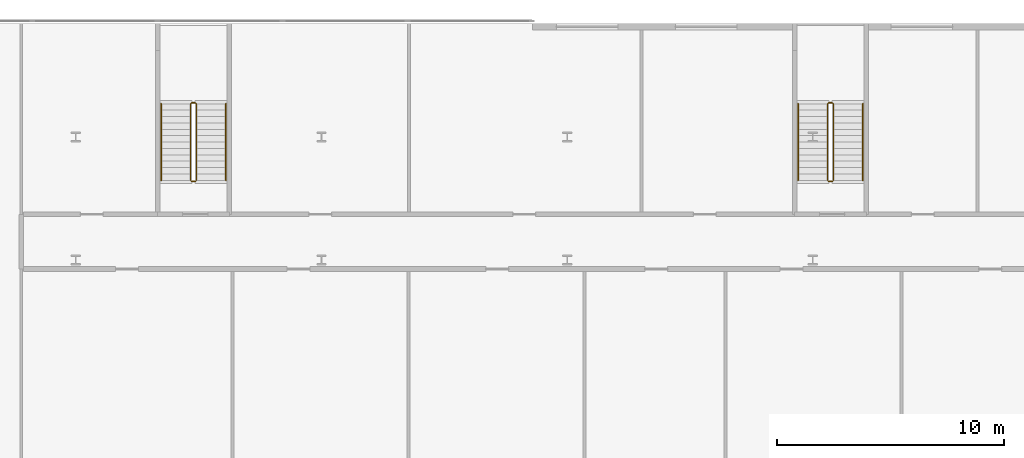
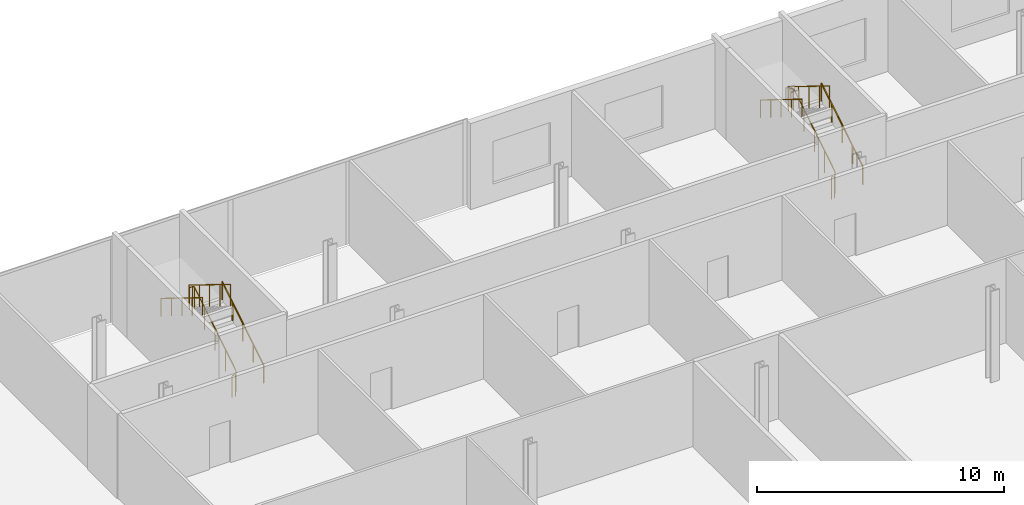
# One storey, part 46 of 47: 8 railings.
"""IFC4 building model written with IfcOpenShell, lengths in metres."""

import ifcopenshell
import ifcopenshell.guid

model = None  # the IFC model being written
_history = None  # IfcOwnerHistory: only IFC2X3 demands one
_inside = {}  # id of a spatial element -> (the spatial element, [elements in it])
_under = {}  # id of a project, library or spatial element -> (it, [spatial elements below it])
_declared = {}  # id of a project -> (the project, [libraries it declares])
_typed = {}  # id of a type object -> (the type object, [elements of that type])
_made_of = {}  # id of a material, layer set ... -> (it, [elements and type objects made of it])


def new_model(schema):
    """Start an empty IFC model of exactly this schema.

    Asked for "IFC4X3", IfcOpenShell would pick the latest addendum, in which some entities
    have other attributes; the version numbers below select the first issue.
    IFC2X3 requires an IfcOwnerHistory on every rooted entity: one is made here for all.
    """
    global model, _history
    if schema == "IFC4X3":
        model = ifcopenshell.file(schema_version=(4, 3, 0, 0))
    else:
        model = ifcopenshell.file(schema=schema)
    _inside.clear()
    _under.clear()
    _declared.clear()
    _typed.clear()
    _made_of.clear()
    _history = None
    if model.schema == "IFC2X3":
        org = make("IfcOrganization", Name="unknown")
        user = make(
            "IfcPersonAndOrganization",
            ThePerson=make("IfcPerson", FamilyName="unknown"),
            TheOrganization=org,
        )
        app = make(
            "IfcApplication",
            ApplicationDeveloper=org,
            Version="unknown",
            ApplicationFullName="unknown",
            ApplicationIdentifier="unknown",
        )
        _history = make(
            "IfcOwnerHistory",
            OwningUser=user,
            OwningApplication=app,
            ChangeAction="ADDED",
            CreationDate=0,
        )
    return model


def make(cls, **values):
    """One entity of the class cls with the attributes given. An attribute that is None is left unset."""
    return model.create_entity(
        cls, **{name: value for name, value in values.items() if value is not None}
    )


def rooted(cls, **values):
    """An entity with a GlobalId (a new one), such as an element, a storey or a relation."""
    return make(cls, GlobalId=ifcopenshell.guid.new(), OwnerHistory=_history, **values)


def si_unit(unit_type, name, prefix=None):
    """IfcSIUnit, for example si_unit("LENGTHUNIT", "METRE", prefix="MILLI")."""
    return make("IfcSIUnit", UnitType=unit_type, Prefix=prefix, Name=name)


def assignment(units):
    """IfcUnitAssignment: the units of a project."""
    return None if units is None else make("IfcUnitAssignment", Units=units)


def point(xyz):
    """IfcCartesianPoint."""
    return None if xyz is None else make("IfcCartesianPoint", Coordinates=xyz)


def direction(xyz):
    """IfcDirection."""
    return None if xyz is None else make("IfcDirection", DirectionRatios=xyz)


def frame(location, z_axis=None, x_axis=None):
    """IfcAxis2Placement3D, a coordinate frame: its origin and axes. An axis left out is left unset."""
    return make(
        "IfcAxis2Placement3D",
        Location=point(location),
        Axis=direction(z_axis),
        RefDirection=direction(x_axis),
    )


def frame_2d(location, x_axis=None):
    """IfcAxis2Placement2D, a coordinate frame in the plane: its origin and x axis."""
    return make(
        "IfcAxis2Placement2D", Location=point(location), RefDirection=direction(x_axis)
    )


def origin():
    """The frame at (0, 0, 0) with its axes left unset."""
    return frame((0.0, 0.0, 0.0))


def origin_2d():
    """The frame at (0, 0) in the plane with its x axis left unset."""
    return frame_2d((0.0, 0.0))


def place(relative_to, where):
    """IfcLocalPlacement: puts the frame where relative to a parent placement (None: the world)."""
    return make(
        "IfcLocalPlacement", PlacementRelTo=relative_to, RelativePlacement=where
    )


def context(
    kind, dimensions, precision=None, world=None, true_north=None, identifier=None
):
    """IfcGeometricRepresentationContext, for example the 3D "Model" context."""
    return make(
        "IfcGeometricRepresentationContext",
        ContextIdentifier=identifier,
        ContextType=kind,
        CoordinateSpaceDimension=dimensions,
        Precision=precision,
        WorldCoordinateSystem=world,
        TrueNorth=true_north,
    )


def subcontext(parent, identifier, kind, view, scale=None):
    """IfcGeometricRepresentationSubContext, for example "Body" below "Model"."""
    return make(
        "IfcGeometricRepresentationSubContext",
        ContextIdentifier=identifier,
        ContextType=kind,
        ParentContext=parent,
        TargetScale=scale,
        TargetView=view,
    )


def project(units=None, contexts=None):
    """IfcProject with its units and contexts."""
    return rooted(
        "IfcProject",
        Name="project",
        RepresentationContexts=contexts,
        UnitsInContext=assignment(units),
    )


def spatial(cls, under=None, at=None, **own):
    """A site, building, storey or space (cls), placed at a placement, below another one or the project."""
    s = rooted(cls, ObjectPlacement=at, **own)
    if under is not None:
        _under.setdefault(under.id(), (under, []))[1].append(s)
    return s


def profile(cls, at=None, kind="AREA", **sizes):
    """A parametric profile (cls). Its sizes go by their IFC names, for example OverallWidth=200.0."""
    return make(cls, ProfileType=kind, Position=at, **sizes)


def circle(**sizes):
    """IfcCircleProfileDef."""
    return profile("IfcCircleProfileDef", **sizes)


def extrude(swept, where, along, depth):
    """IfcExtrudedAreaSolid: the profile swept, set in the frame where, extruded along a direction by depth."""
    return make(
        "IfcExtrudedAreaSolid",
        SweptArea=swept,
        Position=where,
        ExtrudedDirection=direction(along),
        Depth=depth,
    )


def shape(context_of_items, identifier, shape_type, items):
    """IfcShapeRepresentation: the items that make up one representation, for example the "Body"."""
    return make(
        "IfcShapeRepresentation",
        ContextOfItems=context_of_items,
        RepresentationIdentifier=identifier,
        RepresentationType=shape_type,
        Items=items,
    )


def material(Name=None, Category=None):
    """IfcMaterial."""
    return make("IfcMaterial", Name=Name, Category=Category)


def made_of(thing, what):
    """Note that an element or type object is made of a material, layer set ...; save() writes the relation."""
    if what is not None:
        _made_of.setdefault(what.id(), (what, []))[1].append(thing)
    return thing


def type_object(cls, material=None, **own):
    """A type object (cls), such as IfcWallType, which elements share."""
    return made_of(rooted(cls, **own), material)


def element(
    cls,
    number,
    at=None,
    inside=None,
    cuts=None,
    type_object=None,
    material=None,
    context=None,
    identifier="Body",
    shape_type=None,
    held_by="IfcProductDefinitionShape",
    body=None,
    shapes=None,
    **own,
):
    """One element of the class cls, such as IfcWall. Its Tag is "e" and its number.

    at: its placement. inside: the storey or other place that contains it. cuts: it is an
    opening in that element (IfcRelVoidsElement). A single representation is given by context,
    identifier, shape_type and body (its items); several are given by shapes. held_by: the class
    of the entity that holds the representations. save() writes the other relations.
    """
    e = rooted(cls, Tag="e%d" % number, ObjectPlacement=at, **own)
    if body is not None:
        shapes = [shape(context, identifier, shape_type, body)]
    if shapes is not None:
        e.Representation = make(held_by, Representations=shapes)
    if inside is not None:
        _inside.setdefault(inside.id(), (inside, []))[1].append(e)
    if cuts is not None:
        rooted(
            "IfcRelVoidsElement", RelatingBuildingElement=cuts, RelatedOpeningElement=e
        )
    if type_object is not None:
        _typed.setdefault(type_object.id(), (type_object, []))[1].append(e)
    return made_of(e, material)


def aggregate(whole, parts):
    """IfcRelAggregates: a whole, such as a stair, and the parts it consists of."""
    return rooted("IfcRelAggregates", RelatingObject=whole, RelatedObjects=parts)


def save(model, path):
    """Write the relations noted so far, then the file.

    IfcRelAggregates (storeys below a building ...), IfcRelContainedInSpatialStructure (elements
    in a storey), IfcRelDefinesByType, IfcRelAssociatesMaterial and IfcRelDeclares: one each for
    every whole, place, type object, material and project.
    """
    for whole, parts in _under.values():
        aggregate(whole, parts)
    for where, things in _inside.values():
        rooted(
            "IfcRelContainedInSpatialStructure",
            RelatedElements=things,
            RelatingStructure=where,
        )
    for kind, things in _typed.values():
        rooted("IfcRelDefinesByType", RelatedObjects=things, RelatingType=kind)
    for what, things in _made_of.values():
        rooted("IfcRelAssociatesMaterial", RelatedObjects=things, RelatingMaterial=what)
    for by, libraries in _declared.values():
        rooted("IfcRelDeclares", RelatingContext=by, RelatedDefinitions=libraries)
    model.write(path)


model = new_model("IFC4")

# Units and contexts
model_context = context("Model", 3, precision=1e-05, world=origin(), true_north=direction((0.0, 1.0)))
body_context = subcontext(model_context, "Body", "Model", "MODEL_VIEW")
ifc_project = project(units=[si_unit("LENGTHUNIT", "METRE"), si_unit("AREAUNIT", "SQUARE_METRE"), si_unit("VOLUMEUNIT", "CUBIC_METRE"), si_unit("PLANEANGLEUNIT", "RADIAN"), si_unit("MASSUNIT", "GRAM", prefix="KILO")], contexts=[model_context])

# Site, building, storey
site_placement = place(None, origin())
site = spatial("IfcSite", under=ifc_project, at=site_placement, CompositionType="ELEMENT")
building_placement = place(site_placement, origin())
building = spatial("IfcBuilding", under=site, at=building_placement, Name="Kheshtan School and Residences Tower", CompositionType="ELEMENT")
storey_placement = place(building_placement, frame((0.0, 0.0, 17.0)))
storey = spatial("IfcBuildingStorey", under=building, at=storey_placement, Name="L03", CompositionType="ELEMENT", Elevation=17.0)

# Railings
ifc_material_1 = material(Name="Stainless steel balustrade", Category="steel")
railing_type_1 = type_object("IfcRailingType", Name="Stair guard 1100", PredefinedType="GUARDRAIL", material=ifc_material_1)
railing_1_placement = place(storey_placement, frame((63.699951171875, 103.10009765625, 0.173095703125)))
element("IfcRailing", 1, at=railing_1_placement, inside=storey, type_object=railing_type_1, Name="L03 PS-062-102 stair guard 1", PredefinedType="GUARDRAIL", context=body_context, shape_type="SweptSolid", body=[
    extrude(circle(Radius=0.02392578125, at=origin_2d()), frame((0.0, 0.0, 1.076171875), z_axis=(0.0, 0.850606129759, 0.525803396734), x_axis=(-1.0, 0.0, 0.0)), (0.0, 0.0, 1.0), 3.949951171875),
    extrude(circle(Radius=0.02392578125, at=origin_2d()), frame((0.0, 3.35986328125, 3.15283203125), z_axis=(-0.707106781187, 0.707106781187, 0.0), x_axis=(-0.707106781187, -0.707106781187, 0.0)), (0.0, 0.0, 1.0), 0.07080078125),
    extrude(circle(Radius=0.02392578125, at=origin_2d()), frame((-0.050048828125, 3.409912109375, 3.15283203125), z_axis=(-1.0, 0.0, 0.0), x_axis=(0.0, -1.0, 0.0)), (0.0, 0.0, 1.0), 0.14990234375),
    extrude(circle(Radius=0.02392578125, at=origin_2d()), frame((-0.199951171875, 3.409912109375, 3.15283203125), z_axis=(-0.267629722418, -0.267629722418, 0.925607186314), x_axis=(0.707106781187, -0.707106781187, 0.0)), (0.0, 0.0, 1.0), 0.18701171875),
    extrude(circle(Radius=0.02392578125, at=origin_2d()), frame((-0.25, 3.35986328125, 3.326171875), z_axis=(0.0, -0.850606129759, 0.525803396734), x_axis=(1.0, 0.0, 0.0)), (0.0, 0.0, 1.0), 3.949951171875),
    extrude(circle(Radius=0.02099609375, at=origin_2d()), origin(), (0.0, 0.0, 1.0), 1.052001953125),
    extrude(circle(Radius=0.02099609375, at=origin_2d()), frame((0.0, 0.83984375, 0.519287109375)), (0.0, 0.0, 1.0), 1.052001953125),
    extrude(circle(Radius=0.02099609375, at=origin_2d()), frame((0.0, 1.679931640625, 1.03857421875)), (0.0, 0.0, 1.0), 1.052001953125),
    extrude(circle(Radius=0.02099609375, at=origin_2d()), frame((0.0, 2.52001953125, 1.5576171875)), (0.0, 0.0, 1.0), 1.052001953125),
    extrude(circle(Radius=0.02099609375, at=origin_2d()), frame((0.0, 3.35986328125, 2.076904296875)), (0.0, 0.0, 1.0), 1.052001953125),
    extrude(circle(Radius=0.02099609375, at=origin_2d()), frame((-0.050048828125, 3.409912109375, 2.076904296875)), (0.0, 0.0, 1.0), 1.052001953125),
    extrude(circle(Radius=0.02099609375, at=origin_2d()), frame((-0.199951171875, 3.409912109375, 2.076904296875)), (0.0, 0.0, 1.0), 1.052001953125),
    extrude(circle(Radius=0.02099609375, at=origin_2d()), frame((-0.25, 3.35986328125, 2.25)), (0.0, 0.0, 1.0), 1.052001953125),
    extrude(circle(Radius=0.02099609375, at=origin_2d()), frame((-0.25, 2.52001953125, 2.769287109375)), (0.0, 0.0, 1.0), 1.052001953125),
    extrude(circle(Radius=0.02099609375, at=origin_2d()), frame((-0.25, 1.679931640625, 3.28857421875)), (0.0, 0.0, 1.0), 1.052001953125),
    extrude(circle(Radius=0.02099609375, at=origin_2d()), frame((-0.25, 0.83984375, 3.8076171875)), (0.0, 0.0, 1.0), 1.052001953125),
    extrude(circle(Radius=0.02099609375, at=origin_2d()), frame((-0.25, 0.0, 4.326904296875)), (0.0, 0.0, 1.0), 1.052001953125),
])
railing_2_placement = place(storey_placement, frame((63.64990234375, 103.050048828125, 0.0)))
element("IfcRailing", 2, at=railing_2_placement, inside=storey, type_object=railing_type_1, Name="L03 PS-062-102 stair guard 2", PredefinedType="GUARDRAIL", context=body_context, shape_type="SweptSolid", body=[
    extrude(circle(Radius=0.02392578125, at=origin_2d()), frame((0.0, 0.0, 1.076171875), z_axis=(-1.0, 0.0, 0.0), x_axis=(0.0, -1.0, 0.0)), (0.0, 0.0, 1.0), 0.14990234375),
    extrude(circle(Radius=0.02099609375, at=origin_2d()), origin(), (0.0, 0.0, 1.0), 1.052001953125),
    extrude(circle(Radius=0.02099609375, at=origin_2d()), frame((-0.14990234375, 0.0, 0.0)), (0.0, 0.0, 1.0), 1.052001953125),
])
railing_3_placement = place(storey_placement, frame((91.699951171875, 103.10009765625, 0.173095703125)))
element("IfcRailing", 3, at=railing_3_placement, inside=storey, type_object=railing_type_1, Name="L03 PS-090-102 stair guard 1", PredefinedType="GUARDRAIL", context=body_context, shape_type="SweptSolid", body=[
    extrude(circle(Radius=0.02392578125, at=origin_2d()), frame((0.0, 0.0, 1.076171875), z_axis=(0.0, 0.850606129759, 0.525803396734), x_axis=(-1.0, 0.0, 0.0)), (0.0, 0.0, 1.0), 3.949951171875),
    extrude(circle(Radius=0.02392578125, at=origin_2d()), frame((0.0, 3.35986328125, 3.15283203125), z_axis=(-0.707106781187, 0.707106781187, 0.0), x_axis=(-0.707106781187, -0.707106781187, 0.0)), (0.0, 0.0, 1.0), 0.07080078125),
    extrude(circle(Radius=0.02392578125, at=origin_2d()), frame((-0.050048828125, 3.409912109375, 3.15283203125), z_axis=(-1.0, 0.0, 0.0), x_axis=(0.0, -1.0, 0.0)), (0.0, 0.0, 1.0), 0.14990234375),
    extrude(circle(Radius=0.02392578125, at=origin_2d()), frame((-0.199951171875, 3.409912109375, 3.15283203125), z_axis=(-0.267629722418, -0.267629722418, 0.925607186314), x_axis=(0.707106781187, -0.707106781187, 0.0)), (0.0, 0.0, 1.0), 0.18701171875),
    extrude(circle(Radius=0.02392578125, at=origin_2d()), frame((-0.25, 3.35986328125, 3.326171875), z_axis=(0.0, -0.850606129759, 0.525803396734), x_axis=(1.0, 0.0, 0.0)), (0.0, 0.0, 1.0), 3.949951171875),
    extrude(circle(Radius=0.02099609375, at=origin_2d()), origin(), (0.0, 0.0, 1.0), 1.052001953125),
    extrude(circle(Radius=0.02099609375, at=origin_2d()), frame((0.0, 0.83984375, 0.519287109375)), (0.0, 0.0, 1.0), 1.052001953125),
    extrude(circle(Radius=0.02099609375, at=origin_2d()), frame((0.0, 1.679931640625, 1.03857421875)), (0.0, 0.0, 1.0), 1.052001953125),
    extrude(circle(Radius=0.02099609375, at=origin_2d()), frame((0.0, 2.52001953125, 1.5576171875)), (0.0, 0.0, 1.0), 1.052001953125),
    extrude(circle(Radius=0.02099609375, at=origin_2d()), frame((0.0, 3.35986328125, 2.076904296875)), (0.0, 0.0, 1.0), 1.052001953125),
    extrude(circle(Radius=0.02099609375, at=origin_2d()), frame((-0.050048828125, 3.409912109375, 2.076904296875)), (0.0, 0.0, 1.0), 1.052001953125),
    extrude(circle(Radius=0.02099609375, at=origin_2d()), frame((-0.199951171875, 3.409912109375, 2.076904296875)), (0.0, 0.0, 1.0), 1.052001953125),
    extrude(circle(Radius=0.02099609375, at=origin_2d()), frame((-0.25, 3.35986328125, 2.25)), (0.0, 0.0, 1.0), 1.052001953125),
    extrude(circle(Radius=0.02099609375, at=origin_2d()), frame((-0.25, 2.52001953125, 2.769287109375)), (0.0, 0.0, 1.0), 1.052001953125),
    extrude(circle(Radius=0.02099609375, at=origin_2d()), frame((-0.25, 1.679931640625, 3.28857421875)), (0.0, 0.0, 1.0), 1.052001953125),
    extrude(circle(Radius=0.02099609375, at=origin_2d()), frame((-0.25, 0.83984375, 3.8076171875)), (0.0, 0.0, 1.0), 1.052001953125),
    extrude(circle(Radius=0.02099609375, at=origin_2d()), frame((-0.25, 0.0, 4.326904296875)), (0.0, 0.0, 1.0), 1.052001953125),
])
railing_4_placement = place(storey_placement, frame((91.64990234375, 103.050048828125, 0.0)))
element("IfcRailing", 4, at=railing_4_placement, inside=storey, type_object=railing_type_1, Name="L03 PS-090-102 stair guard 2", PredefinedType="GUARDRAIL", context=body_context, shape_type="SweptSolid", body=[
    extrude(circle(Radius=0.02392578125, at=origin_2d()), frame((0.0, 0.0, 1.076171875), z_axis=(-1.0, 0.0, 0.0), x_axis=(0.0, -1.0, 0.0)), (0.0, 0.0, 1.0), 0.14990234375),
    extrude(circle(Radius=0.02099609375, at=origin_2d()), origin(), (0.0, 0.0, 1.0), 1.052001953125),
    extrude(circle(Radius=0.02099609375, at=origin_2d()), frame((-0.14990234375, 0.0, 0.0)), (0.0, 0.0, 1.0), 1.052001953125),
])
ifc_material_2 = material(Name="Stainless steel handrail", Category="steel")
railing_type_2 = type_object("IfcRailingType", Name="Stair handrail 900", PredefinedType="HANDRAIL", material=ifc_material_2)
railing_5_placement = place(storey_placement, frame((65.0, 103.10009765625, 0.173095703125)))
element("IfcRailing", 5, at=railing_5_placement, inside=storey, type_object=railing_type_2, Name="L03 PS-062-102 stair handrail 1", PredefinedType="HANDRAIL", context=body_context, shape_type="SweptSolid", body=[
    extrude(circle(Radius=0.02392578125, at=origin_2d()), frame((0.0, 0.0, 0.8759765625), z_axis=(0.0, 0.850606129759, 0.525803396734), x_axis=(-1.0, 0.0, 0.0)), (0.0, 0.0, 1.0), 3.949951171875),
    extrude(circle(Radius=0.02099609375, at=origin_2d()), origin(), (0.0, 0.0, 1.0), 0.851806640625),
    extrude(circle(Radius=0.02099609375, at=origin_2d()), frame((0.0, 0.83984375, 0.519287109375)), (0.0, 0.0, 1.0), 0.851806640625),
    extrude(circle(Radius=0.02099609375, at=origin_2d()), frame((0.0, 1.679931640625, 1.03857421875)), (0.0, 0.0, 1.0), 0.851806640625),
    extrude(circle(Radius=0.02099609375, at=origin_2d()), frame((0.0, 2.52001953125, 1.5576171875)), (0.0, 0.0, 1.0), 0.851806640625),
    extrude(circle(Radius=0.02099609375, at=origin_2d()), frame((0.0, 3.35986328125, 2.076904296875)), (0.0, 0.0, 1.0), 0.851806640625),
])
railing_6_placement = place(storey_placement, frame((62.14990234375, 106.4599609375, 2.423095703125)))
element("IfcRailing", 6, at=railing_6_placement, inside=storey, type_object=railing_type_2, Name="L03 PS-062-102 stair handrail 2", PredefinedType="HANDRAIL", context=body_context, shape_type="SweptSolid", body=[
    extrude(circle(Radius=0.02392578125, at=origin_2d()), frame((0.0, 0.0, 0.8759765625), z_axis=(0.0, -0.850606129759, 0.525803396734), x_axis=(1.0, 0.0, 0.0)), (0.0, 0.0, 1.0), 3.949951171875),
    extrude(circle(Radius=0.02099609375, at=origin_2d()), origin(), (0.0, 0.0, 1.0), 0.851806640625),
    extrude(circle(Radius=0.02099609375, at=origin_2d()), frame((0.0, -0.83984375, 0.519287109375)), (0.0, 0.0, 1.0), 0.851806640625),
    extrude(circle(Radius=0.02099609375, at=origin_2d()), frame((0.0, -1.679931640625, 1.03857421875)), (0.0, 0.0, 1.0), 0.851806640625),
    extrude(circle(Radius=0.02099609375, at=origin_2d()), frame((0.0, -2.52001953125, 1.5576171875)), (0.0, 0.0, 1.0), 0.851806640625),
    extrude(circle(Radius=0.02099609375, at=origin_2d()), frame((0.0, -3.35986328125, 2.076904296875)), (0.0, 0.0, 1.0), 0.851806640625),
])
railing_7_placement = place(storey_placement, frame((93.0, 103.10009765625, 0.173095703125)))
element("IfcRailing", 7, at=railing_7_placement, inside=storey, type_object=railing_type_2, Name="L03 PS-090-102 stair handrail 1", PredefinedType="HANDRAIL", context=body_context, shape_type="SweptSolid", body=[
    extrude(circle(Radius=0.02392578125, at=origin_2d()), frame((0.0, 0.0, 0.8759765625), z_axis=(0.0, 0.850606129759, 0.525803396734), x_axis=(-1.0, 0.0, 0.0)), (0.0, 0.0, 1.0), 3.949951171875),
    extrude(circle(Radius=0.02099609375, at=origin_2d()), origin(), (0.0, 0.0, 1.0), 0.851806640625),
    extrude(circle(Radius=0.02099609375, at=origin_2d()), frame((0.0, 0.83984375, 0.519287109375)), (0.0, 0.0, 1.0), 0.851806640625),
    extrude(circle(Radius=0.02099609375, at=origin_2d()), frame((0.0, 1.679931640625, 1.03857421875)), (0.0, 0.0, 1.0), 0.851806640625),
    extrude(circle(Radius=0.02099609375, at=origin_2d()), frame((0.0, 2.52001953125, 1.5576171875)), (0.0, 0.0, 1.0), 0.851806640625),
    extrude(circle(Radius=0.02099609375, at=origin_2d()), frame((0.0, 3.35986328125, 2.076904296875)), (0.0, 0.0, 1.0), 0.851806640625),
])
railing_8_placement = place(storey_placement, frame((90.14990234375, 106.4599609375, 2.423095703125)))
element("IfcRailing", 8, at=railing_8_placement, inside=storey, type_object=railing_type_2, Name="L03 PS-090-102 stair handrail 2", PredefinedType="HANDRAIL", context=body_context, shape_type="SweptSolid", body=[
    extrude(circle(Radius=0.02392578125, at=origin_2d()), frame((0.0, 0.0, 0.8759765625), z_axis=(0.0, -0.850606129759, 0.525803396734), x_axis=(1.0, 0.0, 0.0)), (0.0, 0.0, 1.0), 3.949951171875),
    extrude(circle(Radius=0.02099609375, at=origin_2d()), origin(), (0.0, 0.0, 1.0), 0.851806640625),
    extrude(circle(Radius=0.02099609375, at=origin_2d()), frame((0.0, -0.83984375, 0.519287109375)), (0.0, 0.0, 1.0), 0.851806640625),
    extrude(circle(Radius=0.02099609375, at=origin_2d()), frame((0.0, -1.679931640625, 1.03857421875)), (0.0, 0.0, 1.0), 0.851806640625),
    extrude(circle(Radius=0.02099609375, at=origin_2d()), frame((0.0, -2.52001953125, 1.5576171875)), (0.0, 0.0, 1.0), 0.851806640625),
    extrude(circle(Radius=0.02099609375, at=origin_2d()), frame((0.0, -3.35986328125, 2.076904296875)), (0.0, 0.0, 1.0), 0.851806640625),
])

save(model, "model.ifc")
